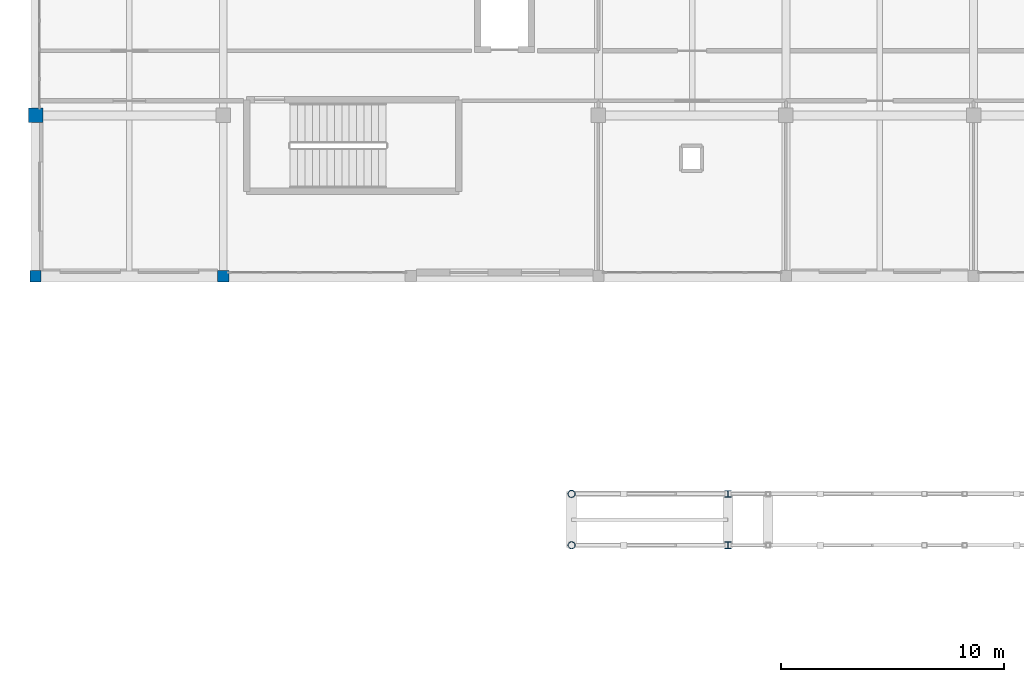
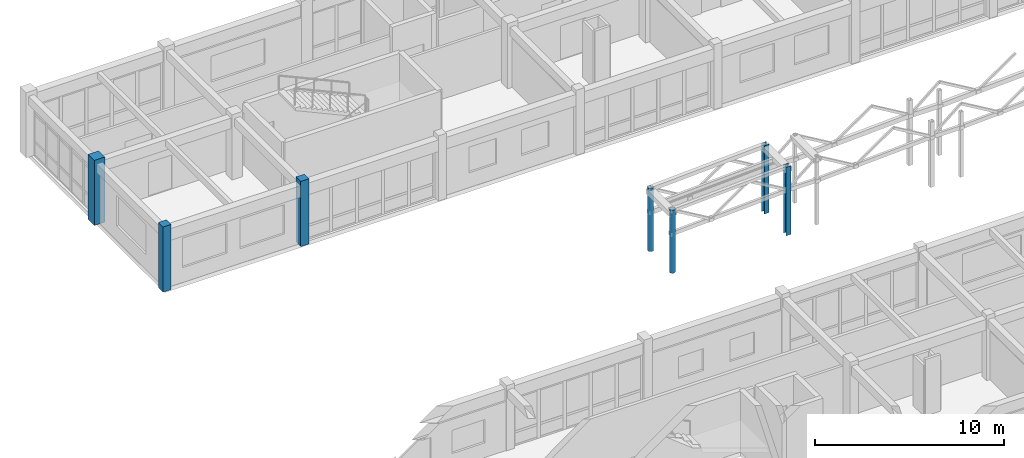
# One storey, part 7 of 89: 7 columns.
"""IFC4 building model written with IfcOpenShell, lengths in metres."""

import ifcopenshell
import ifcopenshell.guid

model = None  # the IFC model being written
_history = None  # IfcOwnerHistory: only IFC2X3 demands one
_inside = {}  # id of a spatial element -> (the spatial element, [elements in it])
_under = {}  # id of a project, library or spatial element -> (it, [spatial elements below it])
_declared = {}  # id of a project -> (the project, [libraries it declares])
_typed = {}  # id of a type object -> (the type object, [elements of that type])
_made_of = {}  # id of a material, layer set ... -> (it, [elements and type objects made of it])


def new_model(schema):
    """Start an empty IFC model of exactly this schema.

    Asked for "IFC4X3", IfcOpenShell would pick the latest addendum, in which some entities
    have other attributes; the version numbers below select the first issue.
    IFC2X3 requires an IfcOwnerHistory on every rooted entity: one is made here for all.
    """
    global model, _history
    if schema == "IFC4X3":
        model = ifcopenshell.file(schema_version=(4, 3, 0, 0))
    else:
        model = ifcopenshell.file(schema=schema)
    _inside.clear()
    _under.clear()
    _declared.clear()
    _typed.clear()
    _made_of.clear()
    _history = None
    if model.schema == "IFC2X3":
        org = make("IfcOrganization", Name="unknown")
        user = make(
            "IfcPersonAndOrganization",
            ThePerson=make("IfcPerson", FamilyName="unknown"),
            TheOrganization=org,
        )
        app = make(
            "IfcApplication",
            ApplicationDeveloper=org,
            Version="unknown",
            ApplicationFullName="unknown",
            ApplicationIdentifier="unknown",
        )
        _history = make(
            "IfcOwnerHistory",
            OwningUser=user,
            OwningApplication=app,
            ChangeAction="ADDED",
            CreationDate=0,
        )
    return model


def make(cls, **values):
    """One entity of the class cls with the attributes given. An attribute that is None is left unset."""
    return model.create_entity(
        cls, **{name: value for name, value in values.items() if value is not None}
    )


def rooted(cls, **values):
    """An entity with a GlobalId (a new one), such as an element, a storey or a relation."""
    return make(cls, GlobalId=ifcopenshell.guid.new(), OwnerHistory=_history, **values)


def si_unit(unit_type, name, prefix=None):
    """IfcSIUnit, for example si_unit("LENGTHUNIT", "METRE", prefix="MILLI")."""
    return make("IfcSIUnit", UnitType=unit_type, Prefix=prefix, Name=name)


def assignment(units):
    """IfcUnitAssignment: the units of a project."""
    return None if units is None else make("IfcUnitAssignment", Units=units)


def point(xyz):
    """IfcCartesianPoint."""
    return None if xyz is None else make("IfcCartesianPoint", Coordinates=xyz)


def direction(xyz):
    """IfcDirection."""
    return None if xyz is None else make("IfcDirection", DirectionRatios=xyz)


def frame(location, z_axis=None, x_axis=None):
    """IfcAxis2Placement3D, a coordinate frame: its origin and axes. An axis left out is left unset."""
    return make(
        "IfcAxis2Placement3D",
        Location=point(location),
        Axis=direction(z_axis),
        RefDirection=direction(x_axis),
    )


def frame_2d(location, x_axis=None):
    """IfcAxis2Placement2D, a coordinate frame in the plane: its origin and x axis."""
    return make(
        "IfcAxis2Placement2D", Location=point(location), RefDirection=direction(x_axis)
    )


def origin():
    """The frame at (0, 0, 0) with its axes left unset."""
    return frame((0.0, 0.0, 0.0))


def origin_2d():
    """The frame at (0, 0) in the plane with its x axis left unset."""
    return frame_2d((0.0, 0.0))


def place(relative_to, where):
    """IfcLocalPlacement: puts the frame where relative to a parent placement (None: the world)."""
    return make(
        "IfcLocalPlacement", PlacementRelTo=relative_to, RelativePlacement=where
    )


def context(
    kind, dimensions, precision=None, world=None, true_north=None, identifier=None
):
    """IfcGeometricRepresentationContext, for example the 3D "Model" context."""
    return make(
        "IfcGeometricRepresentationContext",
        ContextIdentifier=identifier,
        ContextType=kind,
        CoordinateSpaceDimension=dimensions,
        Precision=precision,
        WorldCoordinateSystem=world,
        TrueNorth=true_north,
    )


def subcontext(parent, identifier, kind, view, scale=None):
    """IfcGeometricRepresentationSubContext, for example "Body" below "Model"."""
    return make(
        "IfcGeometricRepresentationSubContext",
        ContextIdentifier=identifier,
        ContextType=kind,
        ParentContext=parent,
        TargetScale=scale,
        TargetView=view,
    )


def project(units=None, contexts=None):
    """IfcProject with its units and contexts."""
    return rooted(
        "IfcProject",
        Name="project",
        RepresentationContexts=contexts,
        UnitsInContext=assignment(units),
    )


def spatial(cls, under=None, at=None, **own):
    """A site, building, storey or space (cls), placed at a placement, below another one or the project."""
    s = rooted(cls, ObjectPlacement=at, **own)
    if under is not None:
        _under.setdefault(under.id(), (under, []))[1].append(s)
    return s


def profile(cls, at=None, kind="AREA", **sizes):
    """A parametric profile (cls). Its sizes go by their IFC names, for example OverallWidth=200.0."""
    return make(cls, ProfileType=kind, Position=at, **sizes)


def rectangle(**sizes):
    """IfcRectangleProfileDef."""
    return profile("IfcRectangleProfileDef", **sizes)


def hollow_circle(**sizes):
    """IfcCircleHollowProfileDef."""
    return profile("IfcCircleHollowProfileDef", **sizes)


def i_section(**sizes):
    """IfcIShapeProfileDef."""
    return profile("IfcIShapeProfileDef", **sizes)


def extrude(swept, where, along, depth):
    """IfcExtrudedAreaSolid: the profile swept, set in the frame where, extruded along a direction by depth."""
    return make(
        "IfcExtrudedAreaSolid",
        SweptArea=swept,
        Position=where,
        ExtrudedDirection=direction(along),
        Depth=depth,
    )


def shape(context_of_items, identifier, shape_type, items):
    """IfcShapeRepresentation: the items that make up one representation, for example the "Body"."""
    return make(
        "IfcShapeRepresentation",
        ContextOfItems=context_of_items,
        RepresentationIdentifier=identifier,
        RepresentationType=shape_type,
        Items=items,
    )


def material(Name=None, Category=None):
    """IfcMaterial."""
    return make("IfcMaterial", Name=Name, Category=Category)


def material_profile(
    of_material, cross_section, Name=None, Category=None, Priority=None
):
    """IfcMaterialProfile: a cross section and its material."""
    return make(
        "IfcMaterialProfile",
        Name=Name,
        Material=of_material,
        Profile=cross_section,
        Priority=Priority,
        Category=Category,
    )


def profile_set(profiles, Name=None, composite=None):
    """IfcMaterialProfileSet."""
    return make(
        "IfcMaterialProfileSet",
        Name=Name,
        MaterialProfiles=profiles,
        CompositeProfile=composite,
    )


def made_of(thing, what):
    """Note that an element or type object is made of a material, layer set ...; save() writes the relation."""
    if what is not None:
        _made_of.setdefault(what.id(), (what, []))[1].append(thing)
    return thing


def type_object(cls, material=None, **own):
    """A type object (cls), such as IfcWallType, which elements share."""
    return made_of(rooted(cls, **own), material)


def element(
    cls,
    number,
    at=None,
    inside=None,
    cuts=None,
    type_object=None,
    material=None,
    context=None,
    identifier="Body",
    shape_type=None,
    held_by="IfcProductDefinitionShape",
    body=None,
    shapes=None,
    **own,
):
    """One element of the class cls, such as IfcWall. Its Tag is "e" and its number.

    at: its placement. inside: the storey or other place that contains it. cuts: it is an
    opening in that element (IfcRelVoidsElement). A single representation is given by context,
    identifier, shape_type and body (its items); several are given by shapes. held_by: the class
    of the entity that holds the representations. save() writes the other relations.
    """
    e = rooted(cls, Tag="e%d" % number, ObjectPlacement=at, **own)
    if body is not None:
        shapes = [shape(context, identifier, shape_type, body)]
    if shapes is not None:
        e.Representation = make(held_by, Representations=shapes)
    if inside is not None:
        _inside.setdefault(inside.id(), (inside, []))[1].append(e)
    if cuts is not None:
        rooted(
            "IfcRelVoidsElement", RelatingBuildingElement=cuts, RelatedOpeningElement=e
        )
    if type_object is not None:
        _typed.setdefault(type_object.id(), (type_object, []))[1].append(e)
    return made_of(e, material)


def aggregate(whole, parts):
    """IfcRelAggregates: a whole, such as a stair, and the parts it consists of."""
    return rooted("IfcRelAggregates", RelatingObject=whole, RelatedObjects=parts)


def save(model, path):
    """Write the relations noted so far, then the file.

    IfcRelAggregates (storeys below a building ...), IfcRelContainedInSpatialStructure (elements
    in a storey), IfcRelDefinesByType, IfcRelAssociatesMaterial and IfcRelDeclares: one each for
    every whole, place, type object, material and project.
    """
    for whole, parts in _under.values():
        aggregate(whole, parts)
    for where, things in _inside.values():
        rooted(
            "IfcRelContainedInSpatialStructure",
            RelatedElements=things,
            RelatingStructure=where,
        )
    for kind, things in _typed.values():
        rooted("IfcRelDefinesByType", RelatedObjects=things, RelatingType=kind)
    for what, things in _made_of.values():
        rooted("IfcRelAssociatesMaterial", RelatedObjects=things, RelatingMaterial=what)
    for by, libraries in _declared.values():
        rooted("IfcRelDeclares", RelatingContext=by, RelatedDefinitions=libraries)
    model.write(path)


model = new_model("IFC4")

# Units and contexts
model_context = context("Model", 3, precision=1e-05, world=origin(), true_north=direction((0.0, 1.0)))
body_context = subcontext(model_context, "Body", "Model", "MODEL_VIEW")
ifc_project = project(units=[si_unit("LENGTHUNIT", "METRE"), si_unit("AREAUNIT", "SQUARE_METRE"), si_unit("VOLUMEUNIT", "CUBIC_METRE"), si_unit("PLANEANGLEUNIT", "RADIAN"), si_unit("MASSUNIT", "GRAM", prefix="KILO")], contexts=[model_context])

# Site, building, storey
site_placement = place(None, origin())
site = spatial("IfcSite", under=ifc_project, at=site_placement, CompositionType="ELEMENT")
building_placement = place(site_placement, origin())
building = spatial("IfcBuilding", under=site, at=building_placement, Name="Malvenik Polytechnic", CompositionType="ELEMENT")
storey_placement = place(building_placement, frame((0.0, 0.0, 13.5)))
storey = spatial("IfcBuildingStorey", under=building, at=storey_placement, Name="L03", CompositionType="ELEMENT", Elevation=13.5)

# Columns
ifc_material_1 = material(Name="Concrete C35/45", Category="concrete")
ifc_material_profile_1 = material_profile(ifc_material_1, rectangle(XDim=0.64990234375, YDim=0.64990234375, at=origin_2d()), Name="RC COL 650x650")
ifc_profile_set_1 = profile_set([ifc_material_profile_1], Name="Concrete C35/45")
column_type_1 = type_object("IfcColumnType", Name="STR-COL-C-05", PredefinedType="COLUMN", material=ifc_profile_set_1)
column_placement = place(storey_placement, frame((0.0, 122.39990234375, 0.0), z_axis=(0.0, 0.0, 1.0), x_axis=(1.0, 0.0, 0.0)))
element("IfcColumn", 1, at=column_placement, inside=storey, type_object=column_type_1, Name="Column C-05 L03 (0.0,122.4)", PredefinedType="COLUMN", context=body_context, shape_type="SweptSolid", body=[
    extrude(rectangle(XDim=0.64990234375, YDim=0.64990234375, at=origin_2d()), origin(), (0.0, 0.0, 1.0), 4.199951171875),
])
ifc_material_profile_2 = material_profile(ifc_material_1, rectangle(XDim=0.5, YDim=0.5, at=origin_2d()), Name="RC COL 500x500")
ifc_profile_set_2 = profile_set([ifc_material_profile_2], Name="Concrete C35/45")
column_type_2 = type_object("IfcColumnType", Name="STR-COL-C-08", PredefinedType="COLUMN", material=ifc_profile_set_2)
for number, where, z_axis, x_axis, name in (
    (2, (0.0, 115.199951171875, 0.0), (0.0, 0.0, 1.0), (1.0, 0.0, 0.0), "Column C-08 L03 (0.0,115.2)"),
    (3, (8.39990234375, 115.199951171875, 0.0), (0.0, 0.0, 1.0), (1.0, 0.0, 0.0), "Column C-08 L03 (8.4,115.2)"),
):
    element("IfcColumn", number, at=place(storey_placement, frame(where, z_axis=z_axis, x_axis=x_axis)), inside=storey, type_object=column_type_2, Name=name, PredefinedType="COLUMN", context=body_context, shape_type="SweptSolid", body=[
        extrude(rectangle(XDim=0.5, YDim=0.5, at=origin_2d()), origin(), (0.0, 0.0, 1.0), 4.199951171875),
    ])
ifc_material_2 = material(Name="Steel S355J2H", Category="steel")
ifc_material_profile_3 = material_profile(ifc_material_2, hollow_circle(Radius=0.161865234375, WallThickness=0.012451171875, at=origin_2d()), Name="CHS 323.9x12.5")
ifc_profile_set_3 = profile_set([ifc_material_profile_3], Name="Steel S355J2H")
column_type_3 = type_object("IfcColumnType", Name="STR-SCOL-SC-04", PredefinedType="COLUMN", material=ifc_profile_set_3)
for number, where, z_axis, x_axis, name in (
    (4, (24.0, 103.14990234375, 0.0), (0.0, 0.0, 1.0), (1.0, 0.0, 0.0), "Bridge-Ramp Support Column SC-04 L03"),
    (5, (24.0, 105.449951171875, 0.0), (0.0, 0.0, 1.0), (1.0, 0.0, 0.0), "Bridge-Ramp Support Column SC-04 L03"),
):
    element("IfcColumn", number, at=place(storey_placement, frame(where, z_axis=z_axis, x_axis=x_axis)), inside=storey, type_object=column_type_3, Name=name, PredefinedType="COLUMN", context=body_context, shape_type="SweptSolid", body=[
        extrude(hollow_circle(Radius=0.161865234375, WallThickness=0.012451171875, at=origin_2d()), origin(), (0.0, 0.0, 1.0), 4.06005859375),
    ])
ifc_material_3 = material(Name="Steel S355", Category="steel")
ifc_material_profile_4 = material_profile(ifc_material_3, i_section(OverallWidth=0.300048828125, OverallDepth=0.300048828125, WebThickness=0.010986328125, FlangeThickness=0.01904296875, FilletRadius=0.027099609375, at=origin_2d()), Name="HEB 300")
ifc_profile_set_4 = profile_set([ifc_material_profile_4], Name="Steel S355")
column_type_4 = type_object("IfcColumnType", Name="STR-SCOL-SC-05", PredefinedType="COLUMN", material=ifc_profile_set_4)
for number, where, z_axis, x_axis, name in (
    (6, (31.0, 103.14990234375, 0.0), (0.0, 0.0, 1.0), (1.0, 0.0, 0.0), "Bridge-Ramp Support Column SC-05 L03"),
    (7, (31.0, 105.449951171875, 0.0), (0.0, 0.0, 1.0), (1.0, 0.0, 0.0), "Bridge-Ramp Support Column SC-05 L03"),
):
    element("IfcColumn", number, at=place(storey_placement, frame(where, z_axis=z_axis, x_axis=x_axis)), inside=storey, type_object=column_type_4, Name=name, PredefinedType="COLUMN", context=body_context, shape_type="SweptSolid", body=[
        extrude(i_section(OverallWidth=0.300048828125, OverallDepth=0.300048828125, WebThickness=0.010986328125, FlangeThickness=0.01904296875, FilletRadius=0.027099609375, at=origin_2d()), origin(), (0.0, 0.0, 1.0), 4.409912109375),
    ])

save(model, "model.ifc")
